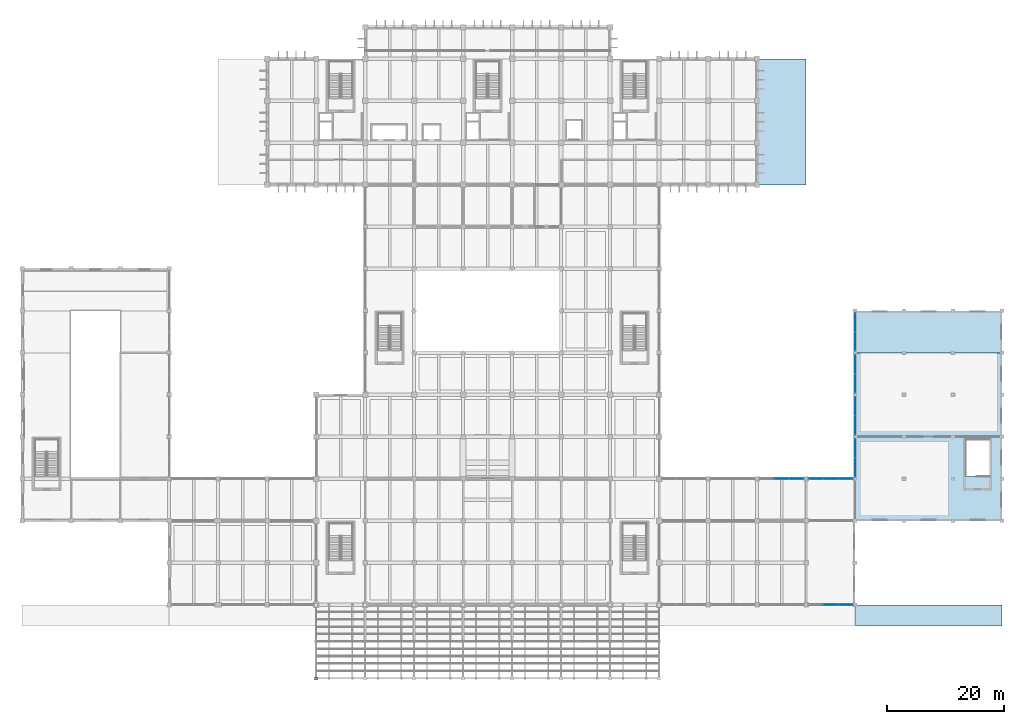
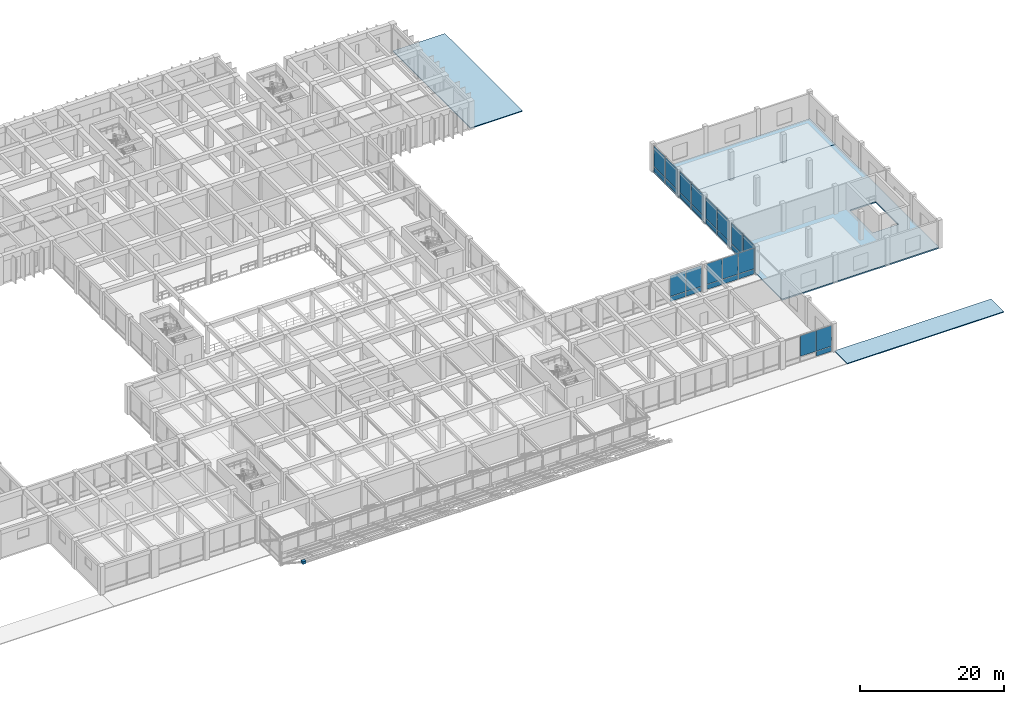
# One storey, part 31 of 52: 30 plates, 4 slabs, 7 elements without a shape of their own.
"""IFC4 building model written with IfcOpenShell, lengths in metres."""

from ifc_helpers import new_model, si_unit, direction, frame, origin, origin_2d, place, context, subcontext, project, spatial, polyline, rectangle, outline, extrude, material, layer, layer_set, type_object, element, aggregate, save


model = new_model("IFC4")

# Units and contexts
model_context = context("Model", 3, precision=1e-05, world=origin(), true_north=direction((0.0, 1.0)))
body_context = subcontext(model_context, "Body", "Model", "MODEL_VIEW")
ifc_project = project(units=[si_unit("LENGTHUNIT", "METRE"), si_unit("AREAUNIT", "SQUARE_METRE"), si_unit("VOLUMEUNIT", "CUBIC_METRE"), si_unit("PLANEANGLEUNIT", "RADIAN"), si_unit("MASSUNIT", "GRAM", prefix="KILO")], contexts=[model_context])

# Site, building, storey
site_placement = place(None, origin())
site = spatial("IfcSite", under=ifc_project, at=site_placement, CompositionType="ELEMENT")
building_placement = place(site_placement, origin())
building = spatial("IfcBuilding", under=site, at=building_placement, Name="Kenerak Square Central Library", CompositionType="ELEMENT")
storey_placement = place(building_placement, frame((0.0, 0.0, 4.800048828125)))
storey = spatial("IfcBuildingStorey", under=building, at=storey_placement, Name="L01", CompositionType="ELEMENT", Elevation=4.800048828125)

# Curtain wall, plates
ifc_material_1 = material(Name="Anodised aluminium and solar-control low-E glazing", Category="aluminium")
curtain_wall_type_1 = type_object("IfcCurtainWallType", Name="Curtain Wall CW-V2-65x45 6550x4500", PredefinedType="USERDEFINED", material=ifc_material_1)
curtain_wall_1_placement = place(storey_placement, origin())
curtain_wall_1 = element("IfcCurtainWall", 1, at=curtain_wall_1_placement, inside=storey, type_object=curtain_wall_type_1, Name="Curtain Wall CW-V2-65x45 L01 0039", ObjectType="CURTAIN WALL", PredefinedType="USERDEFINED")
ifc_material_2 = material(Name="Acoustic solar-control low-E double glazing", Category="glass")
ifc_layer_1 = layer(ifc_material_2, 0.028076171875)
ifc_layer_set_1 = layer_set([ifc_layer_1], Name="Acoustic solar-control low-E double glazing")
plate_type_1 = type_object("IfcPlateType", Name="Acoustic Laminated Curtain Panel CP-28", PredefinedType="CURTAIN_PANEL", material=ifc_layer_set_1)
plate_1_placement = place(storey_placement, frame((150.800048828125, 40.37744140625, 0.059814453125), z_axis=(0.0, 0.0, 1.0), x_axis=(0.0, 1.0, 0.0)))
plate_1 = element("IfcPlate", 2, at=plate_1_placement, type_object=plate_type_1, Name="CW-V2-65x45 Panel 1.1", PredefinedType="CURTAIN_PANEL", context=body_context, shape_type="SweptSolid", body=[
    extrude(rectangle(XDim=3.18505859375, YDim=0.028076171875, at=origin_2d()), origin(), (0.0, 0.0, 1.0), 0.81005859375),
])
plate_2_placement = place(storey_placement, frame((150.800048828125, 40.37744140625, 0.93017578125), z_axis=(0.0, 0.0, 1.0), x_axis=(0.0, 1.0, 0.0)))
plate_2 = element("IfcPlate", 3, at=plate_2_placement, type_object=plate_type_1, Name="CW-V2-65x45 Panel 1.2", PredefinedType="CURTAIN_PANEL", context=body_context, shape_type="SweptSolid", body=[
    extrude(rectangle(XDim=3.18505859375, YDim=0.028076171875, at=origin_2d()), origin(), (0.0, 0.0, 1.0), 3.510009765625),
])
plate_3_placement = place(storey_placement, frame((150.800048828125, 43.62255859375, 0.059814453125), z_axis=(0.0, 0.0, 1.0), x_axis=(0.0, 1.0, 0.0)))
plate_3 = element("IfcPlate", 4, at=plate_3_placement, type_object=plate_type_1, Name="CW-V2-65x45 Panel 2.1", PredefinedType="CURTAIN_PANEL", context=body_context, shape_type="SweptSolid", body=[
    extrude(rectangle(XDim=3.18505859375, YDim=0.028076171875, at=origin_2d()), origin(), (0.0, 0.0, 1.0), 0.81005859375),
])
plate_4_placement = place(storey_placement, frame((150.800048828125, 43.62255859375, 0.93017578125), z_axis=(0.0, 0.0, 1.0), x_axis=(0.0, 1.0, 0.0)))
plate_4 = element("IfcPlate", 5, at=plate_4_placement, type_object=plate_type_1, Name="CW-V2-65x45 Panel 2.2", PredefinedType="CURTAIN_PANEL", context=body_context, shape_type="SweptSolid", body=[
    extrude(rectangle(XDim=3.18505859375, YDim=0.028076171875, at=origin_2d()), origin(), (0.0, 0.0, 1.0), 3.510009765625),
])
aggregate(curtain_wall_1, [plate_1, plate_2, plate_3, plate_4])

curtain_wall_2_placement = place(storey_placement, origin())
curtain_wall_2 = element("IfcCurtainWall", 6, at=curtain_wall_2_placement, inside=storey, type_object=curtain_wall_type_1, Name="Curtain Wall CW-V2-65x45 L01 0040", ObjectType="CURTAIN WALL", PredefinedType="USERDEFINED")
plate_5_placement = place(storey_placement, frame((150.800048828125, 47.577392578125, 0.059814453125), z_axis=(0.0, 0.0, 1.0), x_axis=(0.0, 1.0, 0.0)))
plate_5 = element("IfcPlate", 7, at=plate_5_placement, type_object=plate_type_1, Name="CW-V2-65x45 Panel 1.1", PredefinedType="CURTAIN_PANEL", context=body_context, shape_type="SweptSolid", body=[
    extrude(rectangle(XDim=3.18505859375, YDim=0.028076171875, at=origin_2d()), origin(), (0.0, 0.0, 1.0), 0.81005859375),
])
plate_6_placement = place(storey_placement, frame((150.800048828125, 47.577392578125, 0.93017578125), z_axis=(0.0, 0.0, 1.0), x_axis=(0.0, 1.0, 0.0)))
plate_6 = element("IfcPlate", 8, at=plate_6_placement, type_object=plate_type_1, Name="CW-V2-65x45 Panel 1.2", PredefinedType="CURTAIN_PANEL", context=body_context, shape_type="SweptSolid", body=[
    extrude(rectangle(XDim=3.18505859375, YDim=0.028076171875, at=origin_2d()), origin(), (0.0, 0.0, 1.0), 3.510009765625),
])
plate_7_placement = place(storey_placement, frame((150.800048828125, 50.822509765625, 0.059814453125), z_axis=(0.0, 0.0, 1.0), x_axis=(0.0, 1.0, 0.0)))
plate_7 = element("IfcPlate", 9, at=plate_7_placement, type_object=plate_type_1, Name="CW-V2-65x45 Panel 2.1", PredefinedType="CURTAIN_PANEL", context=body_context, shape_type="SweptSolid", body=[
    extrude(rectangle(XDim=3.18505859375, YDim=0.028076171875, at=origin_2d()), origin(), (0.0, 0.0, 1.0), 0.81005859375),
])
plate_8_placement = place(storey_placement, frame((150.800048828125, 50.822509765625, 0.93017578125), z_axis=(0.0, 0.0, 1.0), x_axis=(0.0, 1.0, 0.0)))
plate_8 = element("IfcPlate", 10, at=plate_8_placement, type_object=plate_type_1, Name="CW-V2-65x45 Panel 2.2", PredefinedType="CURTAIN_PANEL", context=body_context, shape_type="SweptSolid", body=[
    extrude(rectangle(XDim=3.18505859375, YDim=0.028076171875, at=origin_2d()), origin(), (0.0, 0.0, 1.0), 3.510009765625),
])
aggregate(curtain_wall_2, [plate_5, plate_6, plate_7, plate_8])

curtain_wall_3_placement = place(storey_placement, origin())
curtain_wall_3 = element("IfcCurtainWall", 11, at=curtain_wall_3_placement, inside=storey, type_object=curtain_wall_type_1, Name="Curtain Wall CW-V2-65x45 L01 0041", ObjectType="CURTAIN WALL", PredefinedType="USERDEFINED")
plate_9_placement = place(storey_placement, frame((150.800048828125, 54.777587890625, 0.059814453125), z_axis=(0.0, 0.0, 1.0), x_axis=(0.0, 1.0, 0.0)))
plate_9 = element("IfcPlate", 12, at=plate_9_placement, type_object=plate_type_1, Name="CW-V2-65x45 Panel 1.1", PredefinedType="CURTAIN_PANEL", context=body_context, shape_type="SweptSolid", body=[
    extrude(rectangle(XDim=3.18505859375, YDim=0.028076171875, at=origin_2d()), origin(), (0.0, 0.0, 1.0), 0.81005859375),
])
plate_10_placement = place(storey_placement, frame((150.800048828125, 54.777587890625, 0.93017578125), z_axis=(0.0, 0.0, 1.0), x_axis=(0.0, 1.0, 0.0)))
plate_10 = element("IfcPlate", 13, at=plate_10_placement, type_object=plate_type_1, Name="CW-V2-65x45 Panel 1.2", PredefinedType="CURTAIN_PANEL", context=body_context, shape_type="SweptSolid", body=[
    extrude(rectangle(XDim=3.18505859375, YDim=0.028076171875, at=origin_2d()), origin(), (0.0, 0.0, 1.0), 3.510009765625),
])
plate_11_placement = place(storey_placement, frame((150.800048828125, 58.0224609375, 0.059814453125), z_axis=(0.0, 0.0, 1.0), x_axis=(0.0, 1.0, 0.0)))
plate_11 = element("IfcPlate", 14, at=plate_11_placement, type_object=plate_type_1, Name="CW-V2-65x45 Panel 2.1", PredefinedType="CURTAIN_PANEL", context=body_context, shape_type="SweptSolid", body=[
    extrude(rectangle(XDim=3.18505859375, YDim=0.028076171875, at=origin_2d()), origin(), (0.0, 0.0, 1.0), 0.81005859375),
])
plate_12_placement = place(storey_placement, frame((150.800048828125, 58.0224609375, 0.93017578125), z_axis=(0.0, 0.0, 1.0), x_axis=(0.0, 1.0, 0.0)))
plate_12 = element("IfcPlate", 15, at=plate_12_placement, type_object=plate_type_1, Name="CW-V2-65x45 Panel 2.2", PredefinedType="CURTAIN_PANEL", context=body_context, shape_type="SweptSolid", body=[
    extrude(rectangle(XDim=3.18505859375, YDim=0.028076171875, at=origin_2d()), origin(), (0.0, 0.0, 1.0), 3.510009765625),
])
aggregate(curtain_wall_3, [plate_9, plate_10, plate_11, plate_12])

curtain_wall_4_placement = place(storey_placement, origin())
curtain_wall_4 = element("IfcCurtainWall", 16, at=curtain_wall_4_placement, inside=storey, type_object=curtain_wall_type_1, Name="Curtain Wall CW-V2-65x45 L01 0042", ObjectType="CURTAIN WALL", PredefinedType="USERDEFINED")
plate_13_placement = place(storey_placement, frame((150.800048828125, 61.9775390625, 0.059814453125), z_axis=(0.0, 0.0, 1.0), x_axis=(0.0, 1.0, 0.0)))
plate_13 = element("IfcPlate", 17, at=plate_13_placement, type_object=plate_type_1, Name="CW-V2-65x45 Panel 1.1", PredefinedType="CURTAIN_PANEL", context=body_context, shape_type="SweptSolid", body=[
    extrude(rectangle(XDim=3.18505859375, YDim=0.028076171875, at=origin_2d()), origin(), (0.0, 0.0, 1.0), 0.81005859375),
])
plate_14_placement = place(storey_placement, frame((150.800048828125, 61.9775390625, 0.93017578125), z_axis=(0.0, 0.0, 1.0), x_axis=(0.0, 1.0, 0.0)))
plate_14 = element("IfcPlate", 18, at=plate_14_placement, type_object=plate_type_1, Name="CW-V2-65x45 Panel 1.2", PredefinedType="CURTAIN_PANEL", context=body_context, shape_type="SweptSolid", body=[
    extrude(rectangle(XDim=3.18505859375, YDim=0.028076171875, at=origin_2d()), origin(), (0.0, 0.0, 1.0), 3.510009765625),
])
plate_15_placement = place(storey_placement, frame((150.800048828125, 65.222412109375, 0.059814453125), z_axis=(0.0, 0.0, 1.0), x_axis=(0.0, 1.0, 0.0)))
plate_15 = element("IfcPlate", 19, at=plate_15_placement, type_object=plate_type_1, Name="CW-V2-65x45 Panel 2.1", PredefinedType="CURTAIN_PANEL", context=body_context, shape_type="SweptSolid", body=[
    extrude(rectangle(XDim=3.18505859375, YDim=0.028076171875, at=origin_2d()), origin(), (0.0, 0.0, 1.0), 0.81005859375),
])
plate_16_placement = place(storey_placement, frame((150.800048828125, 65.222412109375, 0.93017578125), z_axis=(0.0, 0.0, 1.0), x_axis=(0.0, 1.0, 0.0)))
plate_16 = element("IfcPlate", 20, at=plate_16_placement, type_object=plate_type_1, Name="CW-V2-65x45 Panel 2.2", PredefinedType="CURTAIN_PANEL", context=body_context, shape_type="SweptSolid", body=[
    extrude(rectangle(XDim=3.18505859375, YDim=0.028076171875, at=origin_2d()), origin(), (0.0, 0.0, 1.0), 3.510009765625),
])
aggregate(curtain_wall_4, [plate_13, plate_14, plate_15, plate_16])

# Slabs
ifc_material_3 = material(Name="Precast concrete C40/50", Category="concrete")
ifc_layer_2 = layer(ifc_material_3, 0.14990234375)
ifc_layer_set_2 = layer_set([ifc_layer_2], Name="Precast concrete C40/50")
slab_type_1 = type_object("IfcSlabType", Name="Canopy and Lantern Eave Roof Deck RS-150 C40/50", PredefinedType="ROOF", material=ifc_layer_set_2)
slab_1_placement = place(storey_placement, frame((0.0, 0.0, -0.150146484375)))
element("IfcSlab", 21, at=slab_1_placement, inside=storey, type_object=slab_type_1, Name="Canopy Roof Slab COL-ROOF-SE2", PredefinedType="ROOF", context=body_context, shape_type="SweptSolid", body=[
    extrude(outline(polyline([(150.85009765625, 13.199951171875), (176.0, 13.199951171875), (176.0, 16.75), (150.85009765625, 16.75), (150.85009765625, 13.199951171875)])), origin(), (0.0, 0.0, 1.0), 0.150146484375),
])
slab_2_placement = place(storey_placement, frame((0.0, 0.0, -0.150146484375)))
element("IfcSlab", 22, at=slab_2_placement, inside=storey, type_object=slab_type_1, Name="Canopy Roof Slab V5-STEP-L01-E", PredefinedType="ROOF", context=body_context, shape_type="SweptSolid", body=[
    extrude(outline(polyline([(134.050048828125, 88.800048828125), (142.39990234375, 88.800048828125), (142.39990234375, 110.39990234375), (134.050048828125, 110.39990234375), (134.050048828125, 88.800048828125)])), origin(), (0.0, 0.0, 1.0), 0.150146484375),
])
ifc_material_4 = material(Name="Concrete C40/50", Category="concrete")
ifc_layer_3 = layer(ifc_material_4, 0.22509765625)
ifc_layer_set_3 = layer_set([ifc_layer_3], Name="Concrete C40/50")
slab_type_2 = type_object("IfcSlabType", Name="General Reading Room Slab FS-225 C40/50", PredefinedType="FLOOR", material=ifc_layer_set_3)
slab_3_placement = place(storey_placement, frame((0.0, 0.0, -0.22509765625)))
element("IfcSlab", 23, at=slab_3_placement, inside=storey, type_object=slab_type_2, Name="V2 Floor Slab L01 026", PredefinedType="FLOOR", context=body_context, shape_type="SweptSolid", body=[
    extrude(outline(polyline([(150.800048828125, 31.199951171875), (150.800048828125, 60.0), (176.0, 60.0), (176.0, 31.199951171875), (150.800048828125, 31.199951171875)]), holes=[polyline([(173.8798828125, 38.85009765625), (173.8798828125, 45.199951171875), (169.719970703125, 45.199951171875), (169.719970703125, 38.85009765625), (173.8798828125, 38.85009765625)])]), origin(), (0.0, 0.0, 1.0), 0.22509765625),
])
slab_4_placement = place(storey_placement, frame((0.0, 0.0, -0.22509765625)))
element("IfcSlab", 24, at=slab_4_placement, inside=storey, type_object=slab_type_2, Name="V2 Floor Slab L01 027", PredefinedType="FLOOR", context=body_context, shape_type="SweptSolid", body=[
    extrude(outline(polyline([(150.800048828125, 60.0), (150.800048828125, 67.199951171875), (176.0, 67.199951171875), (176.0, 60.0), (150.800048828125, 60.0)])), origin(), (0.0, 0.0, 1.0), 0.22509765625),
])

# Curtain wall, plates
curtain_wall_type_2 = type_object("IfcCurtainWallType", Name="Curtain Wall CW-V6-76x45 7650x4500", PredefinedType="USERDEFINED", material=ifc_material_1)
curtain_wall_5_placement = place(storey_placement, origin())
curtain_wall_5 = element("IfcCurtainWall", 25, at=curtain_wall_5_placement, inside=storey, type_object=curtain_wall_type_2, Name="Curtain Wall CW-V6-76x45 L01 0037", ObjectType="CURTAIN WALL", PredefinedType="USERDEFINED")
ifc_material_5 = material(Name="Solar-control low-E laminated double glazing", Category="glass")
ifc_layer_4 = layer(ifc_material_5, 0.02392578125)
ifc_layer_set_4 = layer_set([ifc_layer_4], Name="Solar-control low-E laminated double glazing")
plate_type_2 = type_object("IfcPlateType", Name="Low-E Double Glazed Curtain Panel CP-24", PredefinedType="CURTAIN_PANEL", material=ifc_layer_set_4)
plate_17_placement = place(storey_placement, frame((138.199951171875, 38.39990234375, 0.06494140625), z_axis=(0.0, 0.0, 1.0), x_axis=(1.0, 0.0, 0.0)))
plate_17 = element("IfcPlate", 26, at=plate_17_placement, type_object=plate_type_2, Name="CW-V6-76x45 Panel 2.1", PredefinedType="CURTAIN_PANEL", context=body_context, shape_type="SweptSolid", body=[
    extrude(rectangle(XDim=2.485107421875, YDim=0.02392578125, at=origin_2d()), origin(), (0.0, 0.0, 1.0), 0.802490234375),
])
plate_18_placement = place(storey_placement, frame((138.199951171875, 38.39990234375, 0.932373046875), z_axis=(0.0, 0.0, 1.0), x_axis=(1.0, 0.0, 0.0)))
plate_18 = element("IfcPlate", 27, at=plate_18_placement, type_object=plate_type_2, Name="CW-V6-76x45 Panel 2.2", PredefinedType="CURTAIN_PANEL", context=body_context, shape_type="SweptSolid", body=[
    extrude(rectangle(XDim=2.485107421875, YDim=0.02392578125, at=origin_2d()), origin(), (0.0, 0.0, 1.0), 3.50244140625),
])
plate_19_placement = place(storey_placement, frame((140.733642578125, 38.39990234375, 0.06494140625), z_axis=(0.0, 0.0, 1.0), x_axis=(1.0, 0.0, 0.0)))
plate_19 = element("IfcPlate", 28, at=plate_19_placement, type_object=plate_type_2, Name="CW-V6-76x45 Panel 3.1", PredefinedType="CURTAIN_PANEL", context=body_context, shape_type="SweptSolid", body=[
    extrude(rectangle(XDim=2.452392578125, YDim=0.02392578125, at=origin_2d()), origin(), (0.0, 0.0, 1.0), 0.802490234375),
])
plate_20_placement = place(storey_placement, frame((140.733642578125, 38.39990234375, 0.932373046875), z_axis=(0.0, 0.0, 1.0), x_axis=(1.0, 0.0, 0.0)))
plate_20 = element("IfcPlate", 29, at=plate_20_placement, type_object=plate_type_2, Name="CW-V6-76x45 Panel 3.2", PredefinedType="CURTAIN_PANEL", context=body_context, shape_type="SweptSolid", body=[
    extrude(rectangle(XDim=2.452392578125, YDim=0.02392578125, at=origin_2d()), origin(), (0.0, 0.0, 1.0), 3.50244140625),
])
aggregate(curtain_wall_5, [plate_17, plate_18, plate_19, plate_20])

curtain_wall_type_3 = type_object("IfcCurtainWallType", Name="Curtain Wall CW-V6-77x45 7700x4500", PredefinedType="USERDEFINED", material=ifc_material_1)
curtain_wall_6_placement = place(storey_placement, origin())
curtain_wall_6 = element("IfcCurtainWall", 30, at=curtain_wall_6_placement, inside=storey, type_object=curtain_wall_type_3, Name="Curtain Wall CW-V6-77x45 L01 0038", ObjectType="CURTAIN WALL", PredefinedType="USERDEFINED")
plate_21_placement = place(storey_placement, frame((144.074462890625, 38.39990234375, 0.06494140625), z_axis=(0.0, 0.0, 1.0), x_axis=(1.0, 0.0, 0.0)))
plate_21 = element("IfcPlate", 31, at=plate_21_placement, type_object=plate_type_2, Name="CW-V6-77x45 Panel 1.1", PredefinedType="CURTAIN_PANEL", context=body_context, shape_type="SweptSolid", body=[
    extrude(rectangle(XDim=2.46923828125, YDim=0.02392578125, at=origin_2d()), origin(), (0.0, 0.0, 1.0), 0.802490234375),
])
plate_22_placement = place(storey_placement, frame((144.074462890625, 38.39990234375, 0.932373046875), z_axis=(0.0, 0.0, 1.0), x_axis=(1.0, 0.0, 0.0)))
plate_22 = element("IfcPlate", 32, at=plate_22_placement, type_object=plate_type_2, Name="CW-V6-77x45 Panel 1.2", PredefinedType="CURTAIN_PANEL", context=body_context, shape_type="SweptSolid", body=[
    extrude(rectangle(XDim=2.46923828125, YDim=0.02392578125, at=origin_2d()), origin(), (0.0, 0.0, 1.0), 3.50244140625),
])
plate_23_placement = place(storey_placement, frame((146.625, 38.39990234375, 0.06494140625), z_axis=(0.0, 0.0, 1.0), x_axis=(1.0, 0.0, 0.0)))
plate_23 = element("IfcPlate", 33, at=plate_23_placement, type_object=plate_type_2, Name="CW-V6-77x45 Panel 2.1", PredefinedType="CURTAIN_PANEL", context=body_context, shape_type="SweptSolid", body=[
    extrude(rectangle(XDim=2.501708984375, YDim=0.02392578125, at=origin_2d()), origin(), (0.0, 0.0, 1.0), 0.802490234375),
])
plate_24_placement = place(storey_placement, frame((146.625, 38.39990234375, 0.932373046875), z_axis=(0.0, 0.0, 1.0), x_axis=(1.0, 0.0, 0.0)))
plate_24 = element("IfcPlate", 34, at=plate_24_placement, type_object=plate_type_2, Name="CW-V6-77x45 Panel 2.2", PredefinedType="CURTAIN_PANEL", context=body_context, shape_type="SweptSolid", body=[
    extrude(rectangle(XDim=2.501708984375, YDim=0.02392578125, at=origin_2d()), origin(), (0.0, 0.0, 1.0), 3.50244140625),
])
plate_25_placement = place(storey_placement, frame((149.175537109375, 38.39990234375, 0.06494140625), z_axis=(0.0, 0.0, 1.0), x_axis=(1.0, 0.0, 0.0)))
plate_25 = element("IfcPlate", 35, at=plate_25_placement, type_object=plate_type_2, Name="CW-V6-77x45 Panel 3.1", PredefinedType="CURTAIN_PANEL", context=body_context, shape_type="SweptSolid", body=[
    extrude(rectangle(XDim=2.46923828125, YDim=0.02392578125, at=origin_2d()), origin(), (0.0, 0.0, 1.0), 0.802490234375),
])
plate_26_placement = place(storey_placement, frame((149.175537109375, 38.39990234375, 0.932373046875), z_axis=(0.0, 0.0, 1.0), x_axis=(1.0, 0.0, 0.0)))
plate_26 = element("IfcPlate", 36, at=plate_26_placement, type_object=plate_type_2, Name="CW-V6-77x45 Panel 3.2", PredefinedType="CURTAIN_PANEL", context=body_context, shape_type="SweptSolid", body=[
    extrude(rectangle(XDim=2.46923828125, YDim=0.02392578125, at=origin_2d()), origin(), (0.0, 0.0, 1.0), 3.50244140625),
])
aggregate(curtain_wall_6, [plate_21, plate_22, plate_23, plate_24, plate_25, plate_26])

curtain_wall_7_placement = place(storey_placement, origin())
curtain_wall_7 = element("IfcCurtainWall", 37, at=curtain_wall_7_placement, inside=storey, type_object=curtain_wall_type_3, Name="Curtain Wall CW-V6-77x45 L01 0043", ObjectType="CURTAIN WALL", PredefinedType="USERDEFINED")
plate_27_placement = place(storey_placement, frame((149.175537109375, 16.800048828125, 0.06494140625), z_axis=(0.0, 0.0, 1.0), x_axis=(-1.0, 0.0, 0.0)))
plate_27 = element("IfcPlate", 38, at=plate_27_placement, type_object=plate_type_2, Name="CW-V6-77x45 Panel 1.1", PredefinedType="CURTAIN_PANEL", context=body_context, shape_type="SweptSolid", body=[
    extrude(rectangle(XDim=2.46923828125, YDim=0.02392578125, at=origin_2d()), origin(), (0.0, 0.0, 1.0), 0.802490234375),
])
plate_28_placement = place(storey_placement, frame((149.175537109375, 16.800048828125, 0.932373046875), z_axis=(0.0, 0.0, 1.0), x_axis=(-1.0, 0.0, 0.0)))
plate_28 = element("IfcPlate", 39, at=plate_28_placement, type_object=plate_type_2, Name="CW-V6-77x45 Panel 1.2", PredefinedType="CURTAIN_PANEL", context=body_context, shape_type="SweptSolid", body=[
    extrude(rectangle(XDim=2.46923828125, YDim=0.02392578125, at=origin_2d()), origin(), (0.0, 0.0, 1.0), 3.50244140625),
])
plate_29_placement = place(storey_placement, frame((146.625, 16.800048828125, 0.932373046875), z_axis=(0.0, 0.0, 1.0), x_axis=(-1.0, 0.0, 0.0)))
plate_29 = element("IfcPlate", 40, at=plate_29_placement, type_object=plate_type_2, Name="CW-V6-77x45 Panel 2.2", PredefinedType="CURTAIN_PANEL", context=body_context, shape_type="SweptSolid", body=[
    extrude(rectangle(XDim=2.501708984375, YDim=0.02392578125, at=origin_2d()), origin(), (0.0, 0.0, 1.0), 3.50244140625),
])
aggregate(curtain_wall_7, [plate_27, plate_28, plate_29])

# Plate
ifc_material_6 = material(Name="Steel S355", Category="steel")
ifc_layer_5 = layer(ifc_material_6, 0.050048828125)
ifc_layer_set_5 = layer_set([ifc_layer_5], Name="Steel S355")
plate_type_3 = type_object("IfcPlateType", Name="Raking Strut Base Node KTN-02 50mm S355", PredefinedType="USERDEFINED", material=ifc_layer_set_5)
plate_30_placement = place(storey_placement, frame((58.39990234375, 4.199951171875, 3.9248046875), z_axis=(0.0, 0.0, 1.0), x_axis=(1.0, 0.0, 0.0)))
element("IfcPlate", 41, at=plate_30_placement, inside=storey, type_object=plate_type_3, Name="Raking Strut Node Plate KTN-02 0014", ObjectType="GUSSET PLATE", PredefinedType="USERDEFINED", context=body_context, shape_type="SweptSolid", body=[
    extrude(rectangle(XDim=0.5, YDim=0.5, at=origin_2d()), origin(), (0.0, 0.0, 1.0), 0.449951171875),
])

save(model, "model.ifc")
